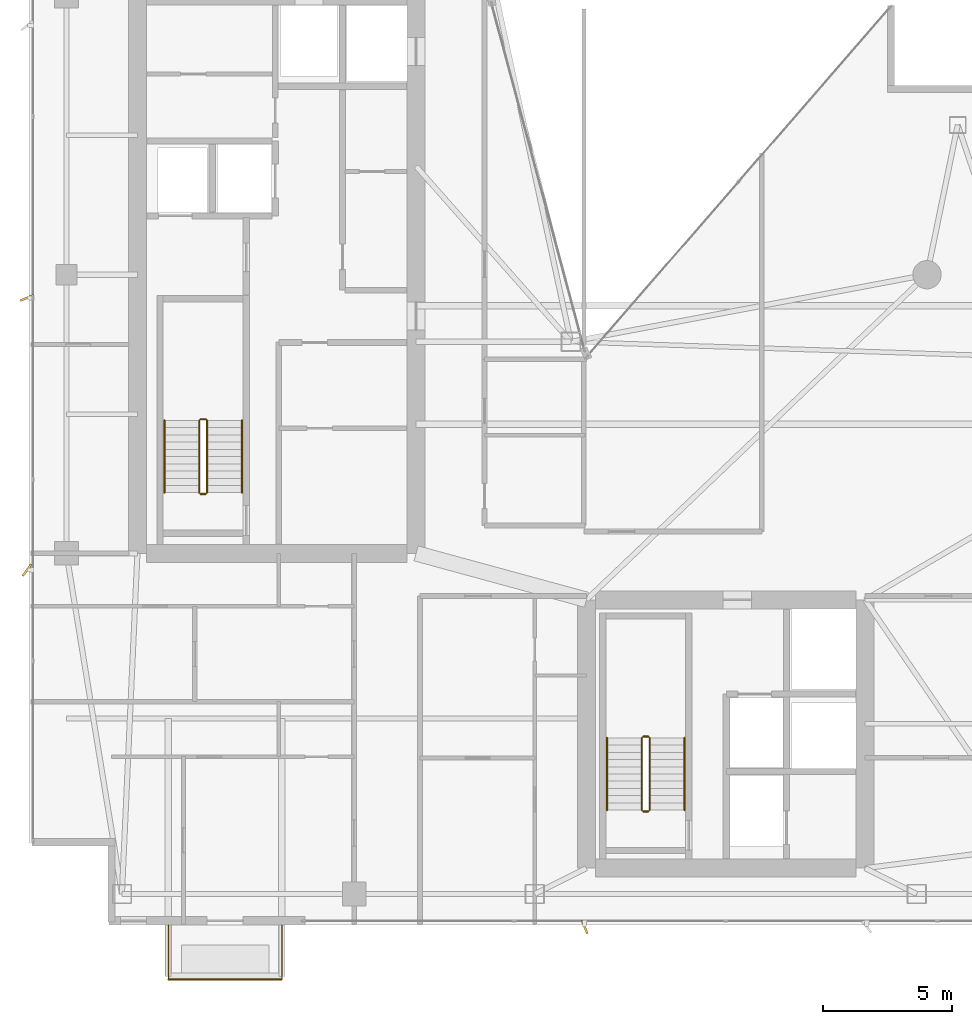
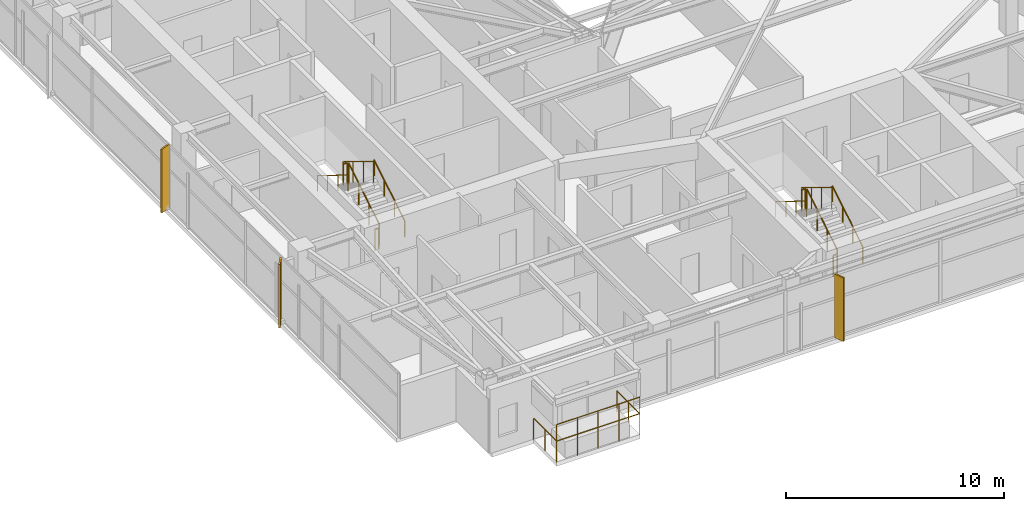
# One storey, part 28 of 29: 14 railings, 3 shading devices.
"""IFC4 building model written with IfcOpenShell, lengths in metres."""

from ifc_helpers import new_model, si_unit, direction, frame, origin, origin_2d, place, context, subcontext, project, spatial, rectangle, circle, extrude, material, type_object, element, save


model = new_model("IFC4")

# Units and contexts
model_context = context("Model", 3, precision=1e-05, world=origin(), true_north=direction((0.0, 1.0)))
body_context = subcontext(model_context, "Body", "Model", "MODEL_VIEW")
ifc_project = project(units=[si_unit("LENGTHUNIT", "METRE"), si_unit("AREAUNIT", "SQUARE_METRE"), si_unit("VOLUMEUNIT", "CUBIC_METRE"), si_unit("PLANEANGLEUNIT", "RADIAN"), si_unit("MASSUNIT", "GRAM", prefix="KILO")], contexts=[model_context])

# Site, building, storey
site_placement = place(None, origin())
site = spatial("IfcSite", under=ifc_project, at=site_placement, CompositionType="ELEMENT")
building_placement = place(site_placement, origin())
building = spatial("IfcBuilding", under=site, at=building_placement, Name="Calvorn Quay Hotel", CompositionType="ELEMENT")
storey_placement = place(building_placement, frame((0.0, 0.0, 255.199951171875)))
storey = spatial("IfcBuildingStorey", under=building, at=storey_placement, Name="L63", CompositionType="ELEMENT", Elevation=255.199951171875)

# Railings
ifc_material_1 = material(Name="Pale Anodised Aluminium and Laminated Glass", Category="aluminium")
railing_type_1 = type_object("IfcRailingType", Name="RLG-BALUSTRADE-1200", PredefinedType="BALUSTRADE", material=ifc_material_1)
railing_1_placement = place(storey_placement, frame((5.39990234375, 2.389892578125, 0.0)))
element("IfcRailing", 1, at=railing_1_placement, inside=storey, type_object=railing_type_1, Name="Tree Balcony Perimeter Balustrade L63-BALC-S", PredefinedType="BALUSTRADE", context=body_context, shape_type="SweptSolid", body=[
    extrude(circle(Radius=0.02392578125, at=origin_2d()), frame((0.0, 0.0, 1.17578125), z_axis=(0.0, -1.0, 0.0), x_axis=(1.0, 0.0, 0.0)), (0.0, 0.0, 1.0), 2.099853515625),
    extrude(circle(Radius=0.02392578125, at=origin_2d()), frame((0.0, -2.099853515625, 1.17578125), z_axis=(1.0, 0.0, 0.0), x_axis=(0.0, 1.0, 0.0)), (0.0, 0.0, 1.0), 4.400146484375),
    extrude(circle(Radius=0.02392578125, at=origin_2d()), frame((4.400146484375, -2.099853515625, 1.17578125), z_axis=(0.0, 1.0, 0.0), x_axis=(-1.0, 0.0, 0.0)), (0.0, 0.0, 1.0), 2.099853515625),
    extrude(circle(Radius=0.02099609375, at=origin_2d()), origin(), (0.0, 0.0, 1.0), 1.15185546875),
    extrude(circle(Radius=0.02099609375, at=origin_2d()), frame((0.0, -1.0498046875, 0.0)), (0.0, 0.0, 1.0), 1.15185546875),
    extrude(circle(Radius=0.02099609375, at=origin_2d()), frame((0.0, -2.099853515625, 0.0)), (0.0, 0.0, 1.0), 1.15185546875),
    extrude(circle(Radius=0.02099609375, at=origin_2d()), frame((1.10009765625, -2.099853515625, 0.0)), (0.0, 0.0, 1.0), 1.15185546875),
    extrude(circle(Radius=0.02099609375, at=origin_2d()), frame((2.2001953125, -2.099853515625, 0.0)), (0.0, 0.0, 1.0), 1.15185546875),
    extrude(circle(Radius=0.02099609375, at=origin_2d()), frame((3.300048828125, -2.099853515625, 0.0)), (0.0, 0.0, 1.0), 1.15185546875),
    extrude(circle(Radius=0.02099609375, at=origin_2d()), frame((4.400146484375, -2.099853515625, 0.0)), (0.0, 0.0, 1.0), 1.15185546875),
    extrude(circle(Radius=0.02099609375, at=origin_2d()), frame((4.400146484375, -1.0498046875, 0.0)), (0.0, 0.0, 1.0), 1.15185546875),
    extrude(circle(Radius=0.02099609375, at=origin_2d()), frame((4.400146484375, 0.0, 0.0)), (0.0, 0.0, 1.0), 1.15185546875),
])
railing_2_placement = place(storey_placement, frame((5.39990234375, 0.2900390625, 0.900146484375)))
element("IfcRailing", 2, at=railing_2_placement, inside=storey, type_object=railing_type_1, Name="Planter Kerb High Safety Screen L63-BALC-S", PredefinedType="BALUSTRADE", context=body_context, shape_type="SweptSolid", body=[
    extrude(circle(Radius=0.02392578125, at=origin_2d()), frame((0.0, 0.0, 1.19580078125), z_axis=(1.0, 0.0, 0.0), x_axis=(0.0, 1.0, 0.0)), (0.0, 0.0, 1.0), 4.400146484375),
    extrude(circle(Radius=0.02099609375, at=origin_2d()), origin(), (0.0, 0.0, 1.0), 1.171875),
    extrude(circle(Radius=0.02099609375, at=origin_2d()), frame((1.10009765625, 0.0, 0.0)), (0.0, 0.0, 1.0), 1.171875),
    extrude(circle(Radius=0.02099609375, at=origin_2d()), frame((2.2001953125, 0.0, 0.0)), (0.0, 0.0, 1.0), 1.171875),
    extrude(circle(Radius=0.02099609375, at=origin_2d()), frame((3.300048828125, 0.0, 0.0)), (0.0, 0.0, 1.0), 1.171875),
    extrude(circle(Radius=0.02099609375, at=origin_2d()), frame((4.400146484375, 0.0, 0.0)), (0.0, 0.0, 1.0), 1.171875),
])
ifc_material_2 = material(Name="Brushed Stainless Steel Handrail", Category="steel")
railing_type_2 = type_object("IfcRailingType", Name="RLG-HANDRAIL-900", PredefinedType="HANDRAIL", material=ifc_material_2)
railing_3_placement = place(storey_placement, frame((8.25, 19.14990234375, 0.1728515625)))
element("IfcRailing", 3, at=railing_3_placement, inside=storey, type_object=railing_type_2, Name="L63 ST-W stair handrail 1", PredefinedType="HANDRAIL", context=body_context, shape_type="SweptSolid", body=[
    extrude(circle(Radius=0.02392578125, at=origin_2d()), frame((0.0, 0.0, 0.8759765625), z_axis=(0.0, 0.851089632645, 0.525020415988), x_axis=(-1.0, 0.0, 0.0)), (0.0, 0.0, 1.0), 3.2900390625),
    extrude(circle(Radius=0.02099609375, at=origin_2d()), origin(), (0.0, 0.0, 1.0), 0.851806640625),
    extrude(circle(Radius=0.02099609375, at=origin_2d()), frame((0.0, 0.933349609375, 0.57568359375)), (0.0, 0.0, 1.0), 0.851806640625),
    extrude(circle(Radius=0.02099609375, at=origin_2d()), frame((0.0, 1.86669921875, 1.151611328125)), (0.0, 0.0, 1.0), 0.851806640625),
    extrude(circle(Radius=0.02099609375, at=origin_2d()), frame((0.0, 2.800048828125, 1.727294921875)), (0.0, 0.0, 1.0), 0.851806640625),
])
railing_4_placement = place(storey_placement, frame((5.25, 21.949951171875, 2.07275390625)))
element("IfcRailing", 4, at=railing_4_placement, inside=storey, type_object=railing_type_2, Name="L63 ST-W stair handrail 2", PredefinedType="HANDRAIL", context=body_context, shape_type="SweptSolid", body=[
    extrude(circle(Radius=0.02392578125, at=origin_2d()), frame((0.0, 0.0, 0.8759765625), z_axis=(0.0, -0.851089632645, 0.525020415988), x_axis=(1.0, 0.0, 0.0)), (0.0, 0.0, 1.0), 3.2900390625),
    extrude(circle(Radius=0.02099609375, at=origin_2d()), origin(), (0.0, 0.0, 1.0), 0.851806640625),
    extrude(circle(Radius=0.02099609375, at=origin_2d()), frame((0.0, -0.933349609375, 0.57568359375)), (0.0, 0.0, 1.0), 0.851806640625),
    extrude(circle(Radius=0.02099609375, at=origin_2d()), frame((0.0, -1.86669921875, 1.151611328125)), (0.0, 0.0, 1.0), 0.851806640625),
    extrude(circle(Radius=0.02099609375, at=origin_2d()), frame((0.0, -2.800048828125, 1.727294921875)), (0.0, 0.0, 1.0), 0.851806640625),
])
railing_5_placement = place(storey_placement, frame((25.39990234375, 6.85009765625, 0.1728515625)))
element("IfcRailing", 5, at=railing_5_placement, inside=storey, type_object=railing_type_2, Name="L63 ST-E stair handrail 1", PredefinedType="HANDRAIL", context=body_context, shape_type="SweptSolid", body=[
    extrude(circle(Radius=0.02392578125, at=origin_2d()), frame((0.0, 0.0, 0.8759765625), z_axis=(0.0, 0.851069175582, 0.525053576669), x_axis=(-1.0, 0.0, 0.0)), (0.0, 0.0, 1.0), 3.289794921875),
    extrude(circle(Radius=0.02099609375, at=origin_2d()), origin(), (0.0, 0.0, 1.0), 0.851806640625),
    extrude(circle(Radius=0.02099609375, at=origin_2d()), frame((0.0, 0.933349609375, 0.57568359375)), (0.0, 0.0, 1.0), 0.851806640625),
    extrude(circle(Radius=0.02099609375, at=origin_2d()), frame((0.0, 1.866455078125, 1.151611328125)), (0.0, 0.0, 1.0), 0.851806640625),
    extrude(circle(Radius=0.02099609375, at=origin_2d()), frame((0.0, 2.7998046875, 1.727294921875)), (0.0, 0.0, 1.0), 0.851806640625),
])
railing_6_placement = place(storey_placement, frame((22.39990234375, 9.64990234375, 2.07275390625)))
element("IfcRailing", 6, at=railing_6_placement, inside=storey, type_object=railing_type_2, Name="L63 ST-E stair handrail 2", PredefinedType="HANDRAIL", context=body_context, shape_type="SweptSolid", body=[
    extrude(circle(Radius=0.02392578125, at=origin_2d()), frame((0.0, 0.0, 0.8759765625), z_axis=(0.0, -0.851069175582, 0.525053576669), x_axis=(1.0, 0.0, 0.0)), (0.0, 0.0, 1.0), 3.289794921875),
    extrude(circle(Radius=0.02099609375, at=origin_2d()), origin(), (0.0, 0.0, 1.0), 0.851806640625),
    extrude(circle(Radius=0.02099609375, at=origin_2d()), frame((0.0, -0.933349609375, 0.57568359375)), (0.0, 0.0, 1.0), 0.851806640625),
    extrude(circle(Radius=0.02099609375, at=origin_2d()), frame((0.0, -1.866455078125, 1.151611328125)), (0.0, 0.0, 1.0), 0.851806640625),
    extrude(circle(Radius=0.02099609375, at=origin_2d()), frame((0.0, -2.7998046875, 1.727294921875)), (0.0, 0.0, 1.0), 0.851806640625),
])
ifc_material_3 = material(Name="Painted Galvanised Steel Balustrade", Category="steel")
railing_type_3 = type_object("IfcRailingType", Name="RLG-STAIR-GUARD-1120", PredefinedType="GUARDRAIL", material=ifc_material_3)
railing_7_placement = place(storey_placement, frame((6.89990234375, 19.14990234375, 0.1728515625)))
element("IfcRailing", 7, at=railing_7_placement, inside=storey, type_object=railing_type_3, Name="L63 ST-W stair guard 1", PredefinedType="GUARDRAIL", context=body_context, shape_type="SweptSolid", body=[
    extrude(circle(Radius=0.02392578125, at=origin_2d()), frame((0.0, 0.0, 1.17578125), z_axis=(0.0, 0.851089632645, 0.525020415988), x_axis=(-1.0, 0.0, 0.0)), (0.0, 0.0, 1.0), 3.2900390625),
    extrude(circle(Radius=0.02099609375, at=origin_2d()), origin(), (0.0, 0.0, 1.0), 1.15185546875),
    extrude(circle(Radius=0.02099609375, at=origin_2d()), frame((0.0, 0.933349609375, 0.57568359375)), (0.0, 0.0, 1.0), 1.15185546875),
    extrude(circle(Radius=0.02099609375, at=origin_2d()), frame((0.0, 1.86669921875, 1.151611328125)), (0.0, 0.0, 1.0), 1.15185546875),
    extrude(circle(Radius=0.02099609375, at=origin_2d()), frame((0.0, 2.800048828125, 1.727294921875)), (0.0, 0.0, 1.0), 1.15185546875),
])
railing_8_placement = place(storey_placement, frame((6.85009765625, 22.0, 1.900146484375)))
element("IfcRailing", 8, at=railing_8_placement, inside=storey, type_object=railing_type_3, Name="L63 ST-W stair guard 2", PredefinedType="GUARDRAIL", context=body_context, shape_type="SweptSolid", body=[
    extrude(circle(Radius=0.02392578125, at=origin_2d()), frame((0.0, 0.0, 1.17578125), z_axis=(-1.0, 0.0, 0.0), x_axis=(0.0, -1.0, 0.0)), (0.0, 0.0, 1.0), 0.2001953125),
    extrude(circle(Radius=0.02099609375, at=origin_2d()), origin(), (0.0, 0.0, 1.0), 1.15185546875),
    extrude(circle(Radius=0.02099609375, at=origin_2d()), frame((-0.2001953125, 0.0, 0.0)), (0.0, 0.0, 1.0), 1.15185546875),
])
railing_9_placement = place(storey_placement, frame((6.60009765625, 21.949951171875, 2.07275390625)))
element("IfcRailing", 9, at=railing_9_placement, inside=storey, type_object=railing_type_3, Name="L63 ST-W stair guard 3", PredefinedType="GUARDRAIL", context=body_context, shape_type="SweptSolid", body=[
    extrude(circle(Radius=0.02392578125, at=origin_2d()), frame((0.0, 0.0, 1.17578125), z_axis=(0.0, -0.851089632645, 0.525020415988), x_axis=(1.0, 0.0, 0.0)), (0.0, 0.0, 1.0), 3.2900390625),
    extrude(circle(Radius=0.02099609375, at=origin_2d()), origin(), (0.0, 0.0, 1.0), 1.15185546875),
    extrude(circle(Radius=0.02099609375, at=origin_2d()), frame((0.0, -0.933349609375, 0.57568359375)), (0.0, 0.0, 1.0), 1.15185546875),
    extrude(circle(Radius=0.02099609375, at=origin_2d()), frame((0.0, -1.86669921875, 1.151611328125)), (0.0, 0.0, 1.0), 1.15185546875),
    extrude(circle(Radius=0.02099609375, at=origin_2d()), frame((0.0, -2.800048828125, 1.727294921875)), (0.0, 0.0, 1.0), 1.15185546875),
])
railing_10_placement = place(storey_placement, frame((6.85009765625, 19.10009765625, 0.0)))
element("IfcRailing", 10, at=railing_10_placement, inside=storey, type_object=railing_type_3, Name="L63 ST-W stair guard 4", PredefinedType="GUARDRAIL", context=body_context, shape_type="SweptSolid", body=[
    extrude(circle(Radius=0.02392578125, at=origin_2d()), frame((0.0, 0.0, 1.17578125), z_axis=(-1.0, 0.0, 0.0), x_axis=(0.0, -1.0, 0.0)), (0.0, 0.0, 1.0), 0.2001953125),
    extrude(circle(Radius=0.02099609375, at=origin_2d()), origin(), (0.0, 0.0, 1.0), 1.15185546875),
    extrude(circle(Radius=0.02099609375, at=origin_2d()), frame((-0.2001953125, 0.0, 0.0)), (0.0, 0.0, 1.0), 1.15185546875),
])
railing_11_placement = place(storey_placement, frame((24.050048828125, 6.85009765625, 0.1728515625)))
element("IfcRailing", 11, at=railing_11_placement, inside=storey, type_object=railing_type_3, Name="L63 ST-E stair guard 1", PredefinedType="GUARDRAIL", context=body_context, shape_type="SweptSolid", body=[
    extrude(circle(Radius=0.02392578125, at=origin_2d()), frame((0.0, 0.0, 1.17578125), z_axis=(0.0, 0.851069175582, 0.525053576669), x_axis=(-1.0, 0.0, 0.0)), (0.0, 0.0, 1.0), 3.289794921875),
    extrude(circle(Radius=0.02099609375, at=origin_2d()), origin(), (0.0, 0.0, 1.0), 1.15185546875),
    extrude(circle(Radius=0.02099609375, at=origin_2d()), frame((0.0, 0.933349609375, 0.57568359375)), (0.0, 0.0, 1.0), 1.15185546875),
    extrude(circle(Radius=0.02099609375, at=origin_2d()), frame((0.0, 1.866455078125, 1.151611328125)), (0.0, 0.0, 1.0), 1.15185546875),
    extrude(circle(Radius=0.02099609375, at=origin_2d()), frame((0.0, 2.7998046875, 1.727294921875)), (0.0, 0.0, 1.0), 1.15185546875),
])
railing_12_placement = place(storey_placement, frame((24.0, 9.699951171875, 1.900146484375)))
element("IfcRailing", 12, at=railing_12_placement, inside=storey, type_object=railing_type_3, Name="L63 ST-E stair guard 2", PredefinedType="GUARDRAIL", context=body_context, shape_type="SweptSolid", body=[
    extrude(circle(Radius=0.02392578125, at=origin_2d()), frame((0.0, 0.0, 1.17578125), z_axis=(-1.0, 0.0, 0.0), x_axis=(0.0, -1.0, 0.0)), (0.0, 0.0, 1.0), 0.199951171875),
    extrude(circle(Radius=0.02099609375, at=origin_2d()), origin(), (0.0, 0.0, 1.0), 1.15185546875),
    extrude(circle(Radius=0.02099609375, at=origin_2d()), frame((-0.199951171875, 0.0, 0.0)), (0.0, 0.0, 1.0), 1.15185546875),
])
railing_13_placement = place(storey_placement, frame((23.75, 9.64990234375, 2.07275390625)))
element("IfcRailing", 13, at=railing_13_placement, inside=storey, type_object=railing_type_3, Name="L63 ST-E stair guard 3", PredefinedType="GUARDRAIL", context=body_context, shape_type="SweptSolid", body=[
    extrude(circle(Radius=0.02392578125, at=origin_2d()), frame((0.0, 0.0, 1.17578125), z_axis=(0.0, -0.851069175582, 0.525053576669), x_axis=(1.0, 0.0, 0.0)), (0.0, 0.0, 1.0), 3.289794921875),
    extrude(circle(Radius=0.02099609375, at=origin_2d()), origin(), (0.0, 0.0, 1.0), 1.15185546875),
    extrude(circle(Radius=0.02099609375, at=origin_2d()), frame((0.0, -0.933349609375, 0.57568359375)), (0.0, 0.0, 1.0), 1.15185546875),
    extrude(circle(Radius=0.02099609375, at=origin_2d()), frame((0.0, -1.866455078125, 1.151611328125)), (0.0, 0.0, 1.0), 1.15185546875),
    extrude(circle(Radius=0.02099609375, at=origin_2d()), frame((0.0, -2.7998046875, 1.727294921875)), (0.0, 0.0, 1.0), 1.15185546875),
])
railing_14_placement = place(storey_placement, frame((24.0, 6.800048828125, 0.0)))
element("IfcRailing", 14, at=railing_14_placement, inside=storey, type_object=railing_type_3, Name="L63 ST-E stair guard 4", PredefinedType="GUARDRAIL", context=body_context, shape_type="SweptSolid", body=[
    extrude(circle(Radius=0.02392578125, at=origin_2d()), frame((0.0, 0.0, 1.17578125), z_axis=(-1.0, 0.0, 0.0), x_axis=(0.0, -1.0, 0.0)), (0.0, 0.0, 1.0), 0.199951171875),
    extrude(circle(Radius=0.02099609375, at=origin_2d()), origin(), (0.0, 0.0, 1.0), 1.15185546875),
    extrude(circle(Radius=0.02099609375, at=origin_2d()), frame((-0.199951171875, 0.0, 0.0)), (0.0, 0.0, 1.0), 1.15185546875),
])

# Shading devices
ifc_material_4 = material(Name="Champagne Bronze Anodised Aluminium 6063-T6", Category="aluminium")
shading_device_type_1 = type_object("IfcShadingDeviceType", Name="SHD-FIN-A1", PredefinedType="USERDEFINED", material=ifc_material_4)
for number, where, z_axis, x_axis, name in (
    (15, (-0.080078125, 26.699951171875, 0.0), (0.0, 0.0, 1.0), (0.927183854567, 0.374606593416, 0.0), "Diagonal Sun-Shading Fin L63-W02"),
    (16, (21.532958984375, 2.320068359375, 0.0), (0.0, 0.0, 1.0), (-0.374606593416, 0.927183854567, 0.0), "Diagonal Sun-Shading Fin L63-S01"),
):
    element("IfcShadingDevice", number, at=place(storey_placement, frame(where, z_axis=z_axis, x_axis=x_axis)), inside=storey, type_object=shading_device_type_1, Name=name, ObjectType="FIN", PredefinedType="USERDEFINED", context=body_context, shape_type="SweptSolid", body=[
        extrude(rectangle(XDim=0.550048828125, YDim=0.080078125, at=origin_2d()), origin(), (0.0, 0.0, 1.0), 3.56005859375),
    ])
ifc_material_5 = material(Name="Champagne Bronze Anodised Aluminium 6063-T6", Category="aluminium")
shading_device_type_2 = type_object("IfcShadingDeviceType", Name="SHD-FIN-A3", PredefinedType="USERDEFINED", material=ifc_material_5)
shading_device_placement = place(storey_placement, frame((-0.080078125, 16.14990234375, 0.0), z_axis=(0.0, 0.0, 1.0), x_axis=(0.587785252292, 0.809016994375, 0.0)))
element("IfcShadingDevice", 17, at=shading_device_placement, inside=storey, type_object=shading_device_type_2, Name="Diagonal Sun-Shading Fin L63-W01", ObjectType="FIN", PredefinedType="USERDEFINED", context=body_context, shape_type="SweptSolid", body=[
    extrude(rectangle(XDim=0.550048828125, YDim=0.080078125, at=origin_2d()), origin(), (0.0, 0.0, 1.0), 3.56005859375),
])

save(model, "model.ifc")
